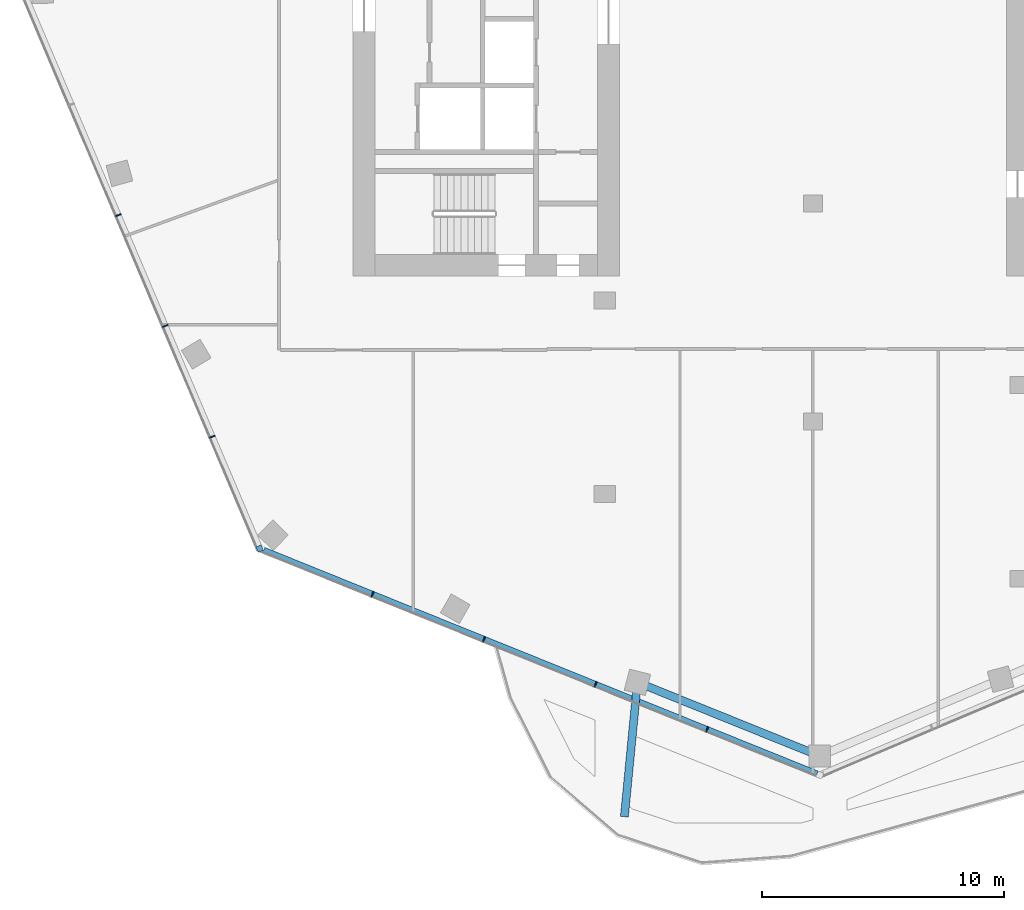
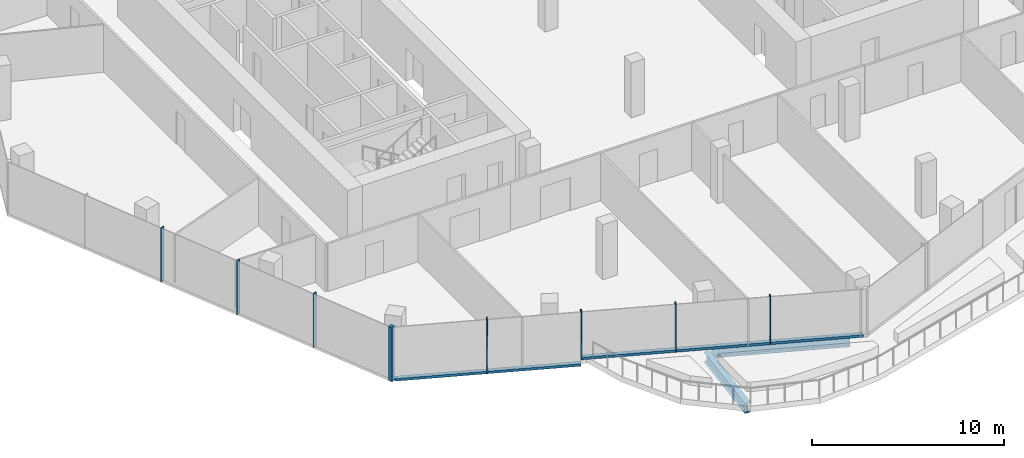
# One storey, part 2 of 17: 10 members, 2 beams, 2 elements without a shape of their own.
"""IFC4 building model written with IfcOpenShell, lengths in metres."""

from ifc_helpers import new_model, si_unit, direction, frame, origin, origin_2d, place, context, subcontext, project, spatial, rectangle, i_section, extrude, material, material_profile, profile_set, type_object, element, aggregate, save


model = new_model("IFC4")

# Units and contexts
model_context = context("Model", 3, precision=1e-05, world=origin(), true_north=direction((0.0, 1.0)))
body_context = subcontext(model_context, "Body", "Model", "MODEL_VIEW")
ifc_project = project(units=[si_unit("LENGTHUNIT", "METRE"), si_unit("AREAUNIT", "SQUARE_METRE"), si_unit("VOLUMEUNIT", "CUBIC_METRE"), si_unit("PLANEANGLEUNIT", "RADIAN"), si_unit("MASSUNIT", "GRAM", prefix="KILO")], contexts=[model_context])

# Site, building, storey
site_placement = place(None, origin())
site = spatial("IfcSite", under=ifc_project, at=site_placement, CompositionType="ELEMENT")
building_placement = place(site_placement, origin())
building = spatial("IfcBuilding", under=site, at=building_placement, Name="Orlundy Tower", CompositionType="ELEMENT")
storey_placement = place(building_placement, frame((0.0, 0.0, 296.39990234375)))
storey = spatial("IfcBuildingStorey", under=building, at=storey_placement, Name="L79", CompositionType="ELEMENT", Elevation=296.39990234375)

# Curtain wall, member
ifc_material_1 = material(Name="Aluminium bronze anodised", Category="aluminium")
curtain_wall_type = type_object("IfcCurtainWallType", Name="CW6 wall", PredefinedType="NOTDEFINED", material=ifc_material_1)
curtain_wall_1_placement = place(storey_placement, origin())
curtain_wall_1 = element("IfcCurtainWall", 1, at=curtain_wall_1_placement, inside=storey, type_object=curtain_wall_type, Name="CW6 run 04", PredefinedType="NOTDEFINED")
ifc_material_2 = material(Name="Aluminium bronze anodised", Category="aluminium")
ifc_material_profile_1 = material_profile(ifc_material_2, rectangle(XDim=0.239990234375, YDim=0.239990234375, at=origin_2d()), Name="CW6 corner post 240x240")
ifc_profile_set_1 = profile_set([ifc_material_profile_1], Name="Aluminium bronze anodised")
member_type_1 = type_object("IfcMemberType", Name="CW6 corner post 240x240", PredefinedType="MULLION", material=ifc_profile_set_1)
member_1_placement = place(storey_placement, frame((-22.85107421875, -23.253662109375, -0.39990234375), z_axis=(0.0, 0.0, 1.0), x_axis=(-0.920506804854, -0.390726531244, 0.0)))
member_1 = element("IfcMember", 2, at=member_1_placement, type_object=member_type_1, Name="CW6 mullion 16", PredefinedType="MULLION", context=body_context, shape_type="SweptSolid", body=[
    extrude(rectangle(XDim=0.239990234375, YDim=0.239990234375, at=origin_2d()), origin(), (0.0, 0.0, 1.0), 3.449951171875),
])

# Curtain wall, members
curtain_wall_2_placement = place(storey_placement, origin())
curtain_wall_2 = element("IfcCurtainWall", 3, at=curtain_wall_2_placement, inside=storey, type_object=curtain_wall_type, Name="CW6 run 03", PredefinedType="NOTDEFINED")
ifc_material_3 = material(Name="Aluminium bronze anodised", Category="aluminium")
ifc_material_profile_2 = material_profile(ifc_material_3, rectangle(XDim=0.239990234375, YDim=0.050048828125, at=origin_2d()), Name="CW6 mullion 50x240")
ifc_profile_set_2 = profile_set([ifc_material_profile_2], Name="Aluminium bronze anodised")
member_type_2 = type_object("IfcMemberType", Name="CW6 mullion 50x240", PredefinedType="MULLION", material=ifc_profile_set_2)
member_2_placement = place(storey_placement, frame((-4.37060546875, -30.72021484375, 0.0), z_axis=(0.0, 0.0, 1.0), x_axis=(-0.374607412456, -0.927183523653, 0.0)))
member_2 = element("IfcMember", 4, at=member_2_placement, type_object=member_type_2, Name="CW6 mullion 12", PredefinedType="MULLION", context=body_context, shape_type="SweptSolid", body=[
    extrude(rectangle(XDim=0.239990234375, YDim=0.050048828125, at=origin_2d()), origin(), (0.0, 0.0, 1.0), 3.050048828125),
])
member_3_placement = place(storey_placement, frame((-8.979248046875, -28.858154296875, 0.0), z_axis=(0.0, 0.0, 1.0), x_axis=(-0.374607412456, -0.927183523653, 0.0)))
member_3 = element("IfcMember", 5, at=member_3_placement, type_object=member_type_2, Name="CW6 mullion 13", PredefinedType="MULLION", context=body_context, shape_type="SweptSolid", body=[
    extrude(rectangle(XDim=0.239990234375, YDim=0.050048828125, at=origin_2d()), origin(), (0.0, 0.0, 1.0), 3.050048828125),
])
member_4_placement = place(storey_placement, frame((-13.587646484375, -26.996337890625, 0.0), z_axis=(0.0, 0.0, 1.0), x_axis=(-0.374607412456, -0.927183523653, 0.0)))
member_4 = element("IfcMember", 6, at=member_4_placement, type_object=member_type_2, Name="CW6 mullion 14", PredefinedType="MULLION", context=body_context, shape_type="SweptSolid", body=[
    extrude(rectangle(XDim=0.239990234375, YDim=0.050048828125, at=origin_2d()), origin(), (0.0, 0.0, 1.0), 3.050048828125),
])
member_5_placement = place(storey_placement, frame((-18.1962890625, -25.13427734375, -0.39990234375), z_axis=(0.0, 0.0, 1.0), x_axis=(-0.374607412456, -0.927183523653, 0.0)))
member_5 = element("IfcMember", 7, at=member_5_placement, type_object=member_type_2, Name="CW6 mullion 15", PredefinedType="MULLION", context=body_context, shape_type="SweptSolid", body=[
    extrude(rectangle(XDim=0.239990234375, YDim=0.050048828125, at=origin_2d()), origin(), (0.0, 0.0, 1.0), 3.449951171875),
])

# Member
member_6_placement = place(storey_placement, frame((-24.812744140625, -18.63232421875, -0.39990234375), z_axis=(0.0, 0.0, 1.0), x_axis=(-0.920506804854, -0.390726531244, 0.0)))
member_6 = element("IfcMember", 8, at=member_6_placement, type_object=member_type_2, Name="CW6 mullion 17", PredefinedType="MULLION", context=body_context, shape_type="SweptSolid", body=[
    extrude(rectangle(XDim=0.239990234375, YDim=0.050048828125, at=origin_2d()), origin(), (0.0, 0.0, 1.0), 3.449951171875),
])

member_7_placement = place(storey_placement, frame((-26.7548828125, -14.056640625, -0.39990234375), z_axis=(0.0, 0.0, 1.0), x_axis=(-0.920506804854, -0.390726531244, 0.0)))
member_7 = element("IfcMember", 9, at=member_7_placement, type_object=member_type_2, Name="CW6 mullion 18", PredefinedType="MULLION", context=body_context, shape_type="SweptSolid", body=[
    extrude(rectangle(XDim=0.239990234375, YDim=0.050048828125, at=origin_2d()), origin(), (0.0, 0.0, 1.0), 3.449951171875),
])

member_8_placement = place(storey_placement, frame((-28.697021484375, -9.481201171875, -0.39990234375), z_axis=(0.0, 0.0, 1.0), x_axis=(-0.920506804854, -0.390726531244, 0.0)))
member_8 = element("IfcMember", 10, at=member_8_placement, type_object=member_type_2, Name="CW6 mullion 19", PredefinedType="MULLION", context=body_context, shape_type="SweptSolid", body=[
    extrude(rectangle(XDim=0.239990234375, YDim=0.050048828125, at=origin_2d()), origin(), (0.0, 0.0, 1.0), 3.449951171875),
])

aggregate(curtain_wall_1, [member_1, member_6, member_7, member_8])

ifc_material_4 = material(Name="Aluminium bronze anodised", Category="aluminium")
ifc_material_profile_3 = material_profile(ifc_material_4, rectangle(XDim=0.239990234375, YDim=0.159912109375, at=origin_2d()), Name="CW6 transom 240x160")
ifc_profile_set_3 = profile_set([ifc_material_profile_3], Name="Aluminium bronze anodised")
member_type_3 = type_object("IfcMemberType", Name="CW6 transom 240x160", PredefinedType="USERDEFINED", material=ifc_profile_set_3)
member_9_placement = place(storey_placement, frame((0.1728515625, -32.555908203125, 0.080078125), z_axis=(-0.927182410435, 0.374610167748, 0.0), x_axis=(-0.374610167748, -0.927182410435, 0.0)))
member_9 = element("IfcMember", 11, at=member_9_placement, type_object=member_type_3, Name="CW6 transom", ObjectType="TRANSOM", PredefinedType="USERDEFINED", context=body_context, shape_type="SweptSolid", body=[
    extrude(rectangle(XDim=0.239990234375, YDim=0.159912109375, at=origin_2d()), origin(), (0.0, 0.0, 1.0), 14.816162109375),
])

member_10_placement = place(storey_placement, frame((-13.61083984375, -26.98681640625, -0.31982421875), z_axis=(-0.92718374792, 0.374606857377, 0.0), x_axis=(-0.374606857377, -0.92718374792, 0.0)))
member_10 = element("IfcMember", 12, at=member_10_placement, type_object=member_type_3, Name="CW6 transom", ObjectType="TRANSOM", PredefinedType="USERDEFINED", context=body_context, shape_type="SweptSolid", body=[
    extrude(rectangle(XDim=0.239990234375, YDim=0.159912109375, at=origin_2d()), origin(), (0.0, 0.0, 1.0), 9.796142578125),
])

aggregate(curtain_wall_2, [member_2, member_3, member_4, member_5, member_9, member_10])

# Beams
ifc_material_5 = material(Name="Steel ASTM A992 Gr 50", Category="steel")
ifc_material_profile_4 = material_profile(ifc_material_5, i_section(OverallWidth=0.3291015625, OverallDepth=0.635009765625, WebThickness=0.017822265625, FlangeThickness=0.031005859375, at=origin_2d()), Name="W24X162")
ifc_profile_set_4 = profile_set([ifc_material_profile_4], Name="Steel ASTM A992 Gr 50")
beam_type = type_object("IfcBeamType", Name="TERRACE EDGE BEAM beam W24X162", PredefinedType="BEAM", material=ifc_profile_set_4)
beam_1_placement = place(storey_placement, frame((-7.78955078125, -34.32958984375, -0.71728515625), z_axis=(0.096745185731, 0.995309182635, 0.0), x_axis=(-0.995309182635, 0.096745185731, 0.0)))
element("IfcBeam", 13, at=beam_1_placement, inside=storey, type_object=beam_type, Name="Terrace edge beam L79-1-01", PredefinedType="BEAM", context=body_context, shape_type="SweptSolid", body=[
    extrude(i_section(OverallWidth=0.3291015625, OverallDepth=0.635009765625, WebThickness=0.017822265625, FlangeThickness=0.031005859375, at=origin_2d()), origin(), (0.0, 0.0, 1.0), 5.170654296875),
])
beam_2_placement = place(storey_placement, frame((-6.87451171875, -28.931640625, -0.71728515625), z_axis=(0.92721127819, -0.374538710413, 0.0), x_axis=(0.374538710413, 0.92721127819, 0.0)))
element("IfcBeam", 14, at=beam_2_placement, inside=storey, type_object=beam_type, Name="Terrace edge beam L79-1-02", PredefinedType="BEAM", context=body_context, shape_type="SweptSolid", body=[
    extrude(i_section(OverallWidth=0.3291015625, OverallDepth=0.635009765625, WebThickness=0.017822265625, FlangeThickness=0.031005859375, at=origin_2d()), origin(), (0.0, 0.0, 1.0), 7.30908203125),
])

save(model, "model.ifc")
